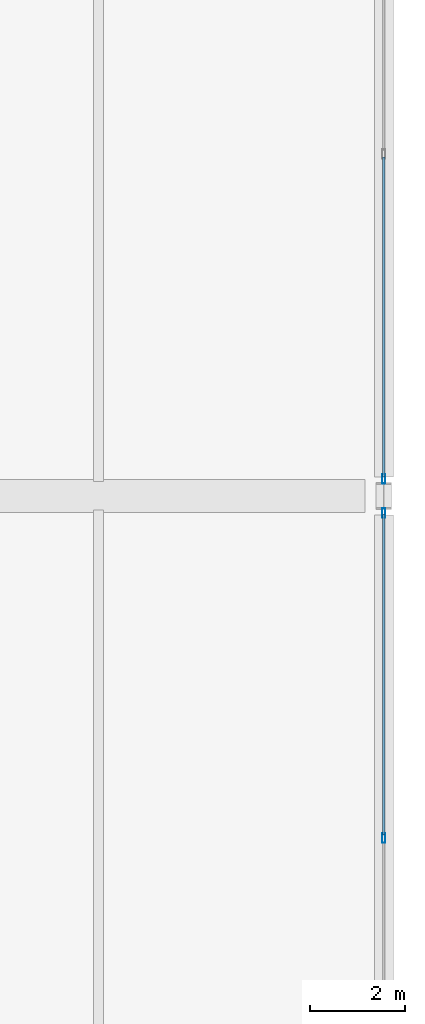
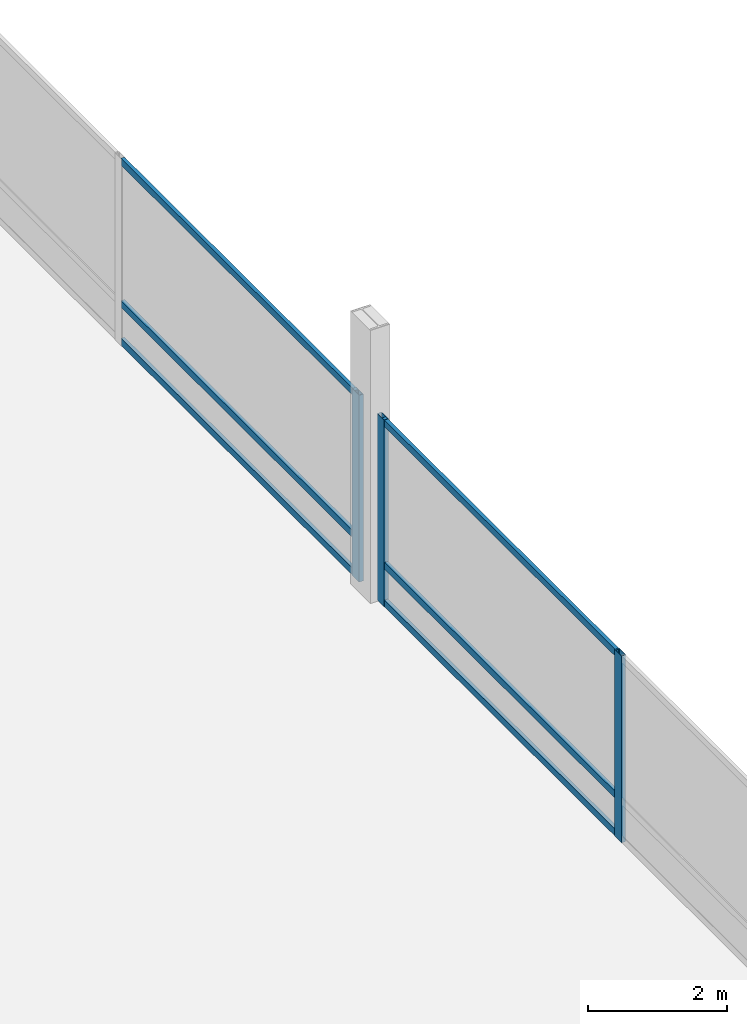
# One storey, part 115 of 220: 9 members, 2 elements without a shape of their own.
"""IFC4 building model written with IfcOpenShell, lengths in metres."""

from ifc_helpers import new_model, si_unit, direction, frame, origin, origin_2d, place, context, subcontext, project, spatial, hollow_rectangle, extrude, material, material_profile, profile_set, type_object, element, aggregate, save


model = new_model("IFC4")

# Units and contexts
model_context = context("Model", 3, precision=1e-05, world=origin(), true_north=direction((0.0, 1.0)))
body_context = subcontext(model_context, "Body", "Model", "MODEL_VIEW")
ifc_project = project(units=[si_unit("LENGTHUNIT", "METRE"), si_unit("AREAUNIT", "SQUARE_METRE"), si_unit("VOLUMEUNIT", "CUBIC_METRE"), si_unit("PLANEANGLEUNIT", "RADIAN"), si_unit("MASSUNIT", "GRAM", prefix="KILO")], contexts=[model_context])

# Site, building, storey
site_placement = place(None, origin())
site = spatial("IfcSite", under=ifc_project, at=site_placement, CompositionType="ELEMENT")
building_placement = place(site_placement, origin())
building = spatial("IfcBuilding", under=site, at=building_placement, Name="Cendralis Lancet Convention Centre", CompositionType="ELEMENT")
storey_placement = place(building_placement, frame((0.0, 0.0, 5.39990234375)))
storey = spatial("IfcBuildingStorey", under=building, at=storey_placement, Name="L01", CompositionType="ELEMENT", Elevation=5.39990234375)

# Curtain wall, members
ifc_material = material(Name="Anodised bronze architectural aluminium", Category="aluminium")
curtain_wall_type = type_object("IfcCurtainWallType", Name="ARC-CW-BL02", PredefinedType="USERDEFINED", material=ifc_material)
curtain_wall_1_placement = place(storey_placement, origin())
curtain_wall_1 = element("IfcCurtainWall", 1, at=curtain_wall_1_placement, inside=storey, type_object=curtain_wall_type, Name="L01 Curtain Wall CW-BL2 #152", ObjectType="CURTAIN WALL", PredefinedType="USERDEFINED")
ifc_material_profile_1 = material_profile(ifc_material, hollow_rectangle(XDim=0.070068359375, YDim=0.199951171875, WallThickness=0.0048828125, at=origin_2d()), Name="AL-MULL 70x200x5.0")
ifc_profile_set_1 = profile_set([ifc_material_profile_1], Name="Anodised bronze architectural aluminium")
member_type_1 = type_object("IfcMemberType", Name="ARC-CW-ML02", PredefinedType="MULLION", material=ifc_profile_set_1)
member_1_placement = place(storey_placement, frame((208.800048828125, 107.639892578125, 0.0), z_axis=(0.0, 0.0, 1.0), x_axis=(1.0, 0.0, 0.0)))
member_1 = element("IfcMember", 2, at=member_1_placement, type_object=member_type_1, Name="Mullion CW2-CW-BL2-L01-152-M0", PredefinedType="MULLION", context=body_context, shape_type="SweptSolid", body=[
    extrude(hollow_rectangle(XDim=0.070068359375, YDim=0.199951171875, WallThickness=0.0048828125, at=origin_2d()), origin(), (0.0, 0.0, 1.0), 3.28515625),
])
member_2_placement = place(storey_placement, frame((208.800048828125, 100.800048828125, 0.0), z_axis=(0.0, 0.0, 1.0), x_axis=(1.0, 0.0, 0.0)))
member_2 = element("IfcMember", 3, at=member_2_placement, type_object=member_type_1, Name="Mullion CW2-CW-BL2-L01-152-M1", PredefinedType="MULLION", context=body_context, shape_type="SweptSolid", body=[
    extrude(hollow_rectangle(XDim=0.070068359375, YDim=0.199951171875, WallThickness=0.0048828125, at=origin_2d()), origin(), (0.0, 0.0, 1.0), 3.28515625),
])

# Curtain wall, member
curtain_wall_2_placement = place(storey_placement, origin())
curtain_wall_2 = element("IfcCurtainWall", 4, at=curtain_wall_2_placement, inside=storey, type_object=curtain_wall_type, Name="L01 Curtain Wall CW-BL2 #153", ObjectType="CURTAIN WALL", PredefinedType="USERDEFINED")
member_3_placement = place(storey_placement, frame((208.800048828125, 108.360107421875, 0.0), z_axis=(0.0, 0.0, 1.0), x_axis=(1.0, 0.0, 0.0)))
member_3 = element("IfcMember", 5, at=member_3_placement, type_object=member_type_1, Name="Mullion CW2-CW-BL2-L01-153-M2", PredefinedType="MULLION", context=body_context, shape_type="SweptSolid", body=[
    extrude(hollow_rectangle(XDim=0.070068359375, YDim=0.199951171875, WallThickness=0.0048828125, at=origin_2d()), origin(), (0.0, 0.0, 1.0), 3.28515625),
])

# Member
ifc_material_profile_2 = material_profile(ifc_material, hollow_rectangle(XDim=0.06005859375, YDim=0.1201171875, WallThickness=0.00390625, at=origin_2d()), Name="AL-TRAN 60x120x4.0")
ifc_profile_set_2 = profile_set([ifc_material_profile_2], Name="Anodised bronze architectural aluminium")
member_type_2 = type_object("IfcMemberType", Name="ARC-CW-TR01", PredefinedType="USERDEFINED", material=ifc_profile_set_2)
member_4_placement = place(storey_placement, frame((208.800048828125, 107.60498046875, 0.06005859375), z_axis=(0.0, -1.0, 0.0), x_axis=(1.0, 0.0, 0.0)))
member_4 = element("IfcMember", 6, at=member_4_placement, type_object=member_type_2, Name="Transom CW2-CW-BL2-L01-152-T0BOT", ObjectType="TRANSOM", PredefinedType="USERDEFINED", context=body_context, shape_type="SweptSolid", body=[
    extrude(hollow_rectangle(XDim=0.06005859375, YDim=0.1201171875, WallThickness=0.00390625, at=origin_2d()), origin(), (0.0, 0.0, 1.0), 6.73486328125),
])

member_5_placement = place(storey_placement, frame((208.800048828125, 107.60498046875, 0.722900390625), z_axis=(0.0, -1.0, 0.0), x_axis=(1.0, 0.0, 0.0)))
member_5 = element("IfcMember", 7, at=member_5_placement, type_object=member_type_2, Name="Transom CW2-CW-BL2-L01-152-T0MID", ObjectType="TRANSOM", PredefinedType="USERDEFINED", context=body_context, shape_type="SweptSolid", body=[
    extrude(hollow_rectangle(XDim=0.06005859375, YDim=0.1201171875, WallThickness=0.00390625, at=origin_2d()), origin(), (0.0, 0.0, 1.0), 6.73486328125),
])

member_6_placement = place(storey_placement, frame((208.800048828125, 107.60498046875, 3.22509765625), z_axis=(0.0, -1.0, 0.0), x_axis=(1.0, 0.0, 0.0)))
member_6 = element("IfcMember", 8, at=member_6_placement, type_object=member_type_2, Name="Transom CW2-CW-BL2-L01-152-T0TOP", ObjectType="TRANSOM", PredefinedType="USERDEFINED", context=body_context, shape_type="SweptSolid", body=[
    extrude(hollow_rectangle(XDim=0.06005859375, YDim=0.1201171875, WallThickness=0.00390625, at=origin_2d()), origin(), (0.0, 0.0, 1.0), 6.73486328125),
])

aggregate(curtain_wall_1, [member_1, member_2, member_4, member_5, member_6])

member_7_placement = place(storey_placement, frame((208.800048828125, 115.1298828125, 0.06005859375), z_axis=(0.0, -1.0, 0.0), x_axis=(1.0, 0.0, 0.0)))
member_7 = element("IfcMember", 9, at=member_7_placement, type_object=member_type_2, Name="Transom CW2-CW-BL2-L01-153-T1BOT", ObjectType="TRANSOM", PredefinedType="USERDEFINED", context=body_context, shape_type="SweptSolid", body=[
    extrude(hollow_rectangle(XDim=0.06005859375, YDim=0.1201171875, WallThickness=0.00390625, at=origin_2d()), origin(), (0.0, 0.0, 1.0), 6.73486328125),
])

member_8_placement = place(storey_placement, frame((208.800048828125, 115.1298828125, 0.722900390625), z_axis=(0.0, -1.0, 0.0), x_axis=(1.0, 0.0, 0.0)))
member_8 = element("IfcMember", 10, at=member_8_placement, type_object=member_type_2, Name="Transom CW2-CW-BL2-L01-153-T1MID", ObjectType="TRANSOM", PredefinedType="USERDEFINED", context=body_context, shape_type="SweptSolid", body=[
    extrude(hollow_rectangle(XDim=0.06005859375, YDim=0.1201171875, WallThickness=0.00390625, at=origin_2d()), origin(), (0.0, 0.0, 1.0), 6.73486328125),
])

member_9_placement = place(storey_placement, frame((208.800048828125, 115.1298828125, 3.22509765625), z_axis=(0.0, -1.0, 0.0), x_axis=(1.0, 0.0, 0.0)))
member_9 = element("IfcMember", 11, at=member_9_placement, type_object=member_type_2, Name="Transom CW2-CW-BL2-L01-153-T1TOP", ObjectType="TRANSOM", PredefinedType="USERDEFINED", context=body_context, shape_type="SweptSolid", body=[
    extrude(hollow_rectangle(XDim=0.06005859375, YDim=0.1201171875, WallThickness=0.00390625, at=origin_2d()), origin(), (0.0, 0.0, 1.0), 6.73486328125),
])

aggregate(curtain_wall_2, [member_3, member_7, member_8, member_9])

save(model, "model.ifc")
